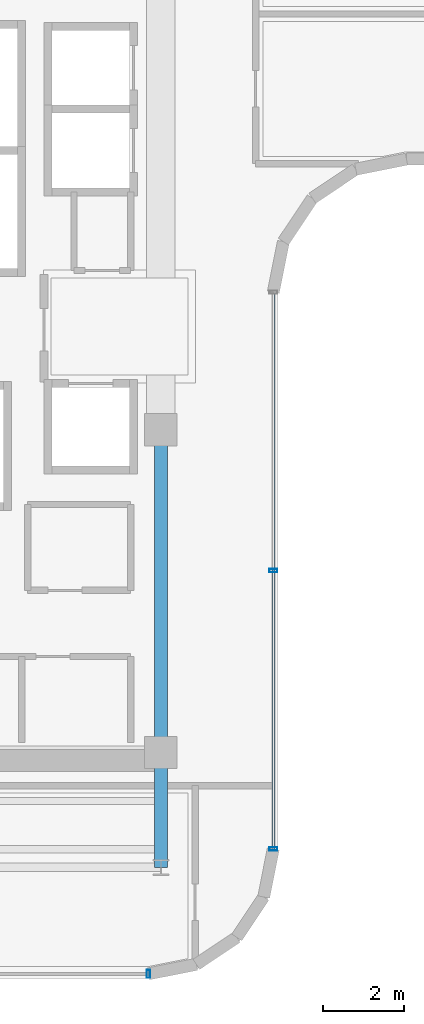
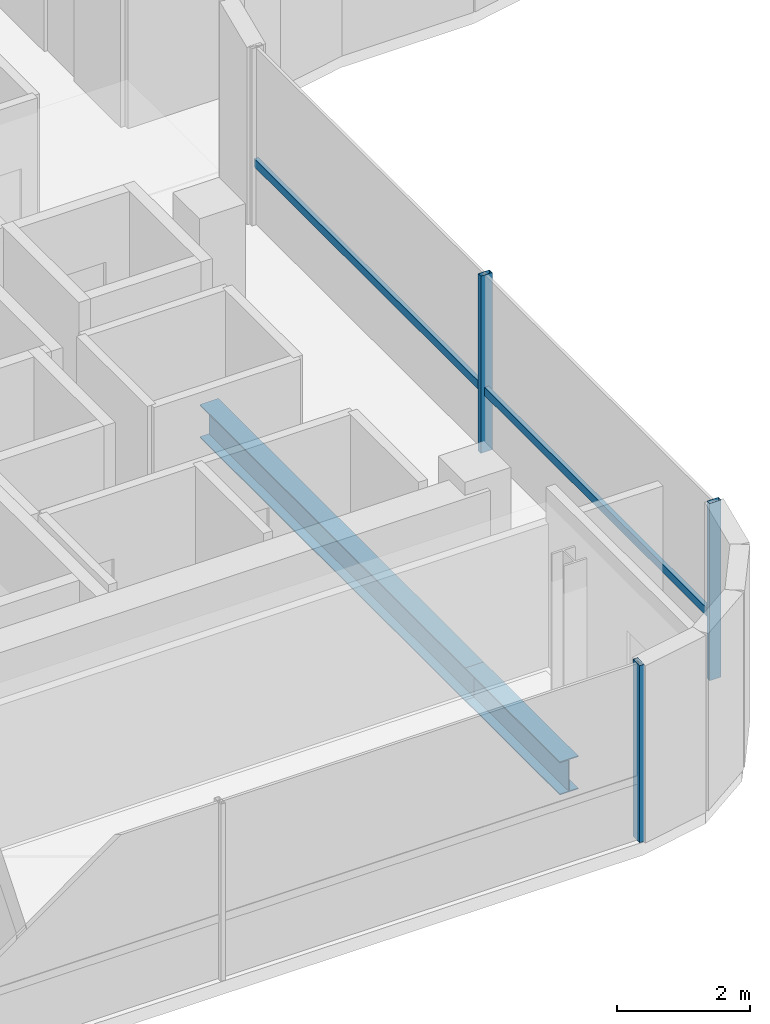
# One storey, part 5 of 20: 4 members, 2 beams, 2 elements without a shape of their own.
"""IFC4 building model written with IfcOpenShell, lengths in metres."""

from ifc_helpers import new_model, si_unit, direction, frame, origin, origin_2d, place, context, subcontext, project, spatial, hollow_rectangle, i_section, extrude, source, transform, mapped, material, material_profile, profile_set, type_object, element, aggregate, save


model = new_model("IFC4")

# Units and contexts
model_context = context("Model", 3, precision=1e-05, world=origin(), true_north=direction((0.0, 1.0)))
body_context = subcontext(model_context, "Body", "Model", "MODEL_VIEW")
ifc_project = project(units=[si_unit("LENGTHUNIT", "METRE"), si_unit("AREAUNIT", "SQUARE_METRE"), si_unit("VOLUMEUNIT", "CUBIC_METRE"), si_unit("PLANEANGLEUNIT", "RADIAN"), si_unit("MASSUNIT", "GRAM", prefix="KILO")], contexts=[model_context])

# Site, building, storey
site_placement = place(None, origin())
site = spatial("IfcSite", under=ifc_project, at=site_placement, CompositionType="ELEMENT")
building_placement = place(site_placement, origin())
building = spatial("IfcBuilding", under=site, at=building_placement, Name="Valdorenza Pilgrim Sanctuary Tower", CompositionType="ELEMENT")
storey_placement = place(building_placement, frame((0.0, 0.0, 280.0)))
storey = spatial("IfcBuildingStorey", under=building, at=storey_placement, Name="L73", CompositionType="ELEMENT", Elevation=280.0)

# Beams
ifc_material_1 = material(Name="Steel ASTM A992 Grade 50", Category="steel")
ifc_material_profile_1 = material_profile(ifc_material_1, i_section(OverallWidth=0.323974609375, OverallDepth=0.611083984375, WebThickness=0.0126953125, FlangeThickness=0.01904296875, at=origin_2d()), Name="W24X104")
ifc_profile_set_1 = profile_set([ifc_material_profile_1], Name="Steel ASTM A992 Grade 50")
beam_type = type_object("IfcBeamType", Name="STR-BM-GRD-W24B", PredefinedType="BEAM", material=ifc_profile_set_1)
shared_shape_1 = source(origin(), body_context, "Body", "SweptSolid", [
    extrude(i_section(OverallWidth=0.323974609375, OverallDepth=0.611083984375, WebThickness=0.0126953125, FlangeThickness=0.01904296875, at=origin_2d()), origin(), (0.0, 0.0, 1.0), 8.0),
])
beam_1_placement = place(storey_placement, frame((-12.39990234375, -10.60009765625, -0.54541015625), z_axis=(0.0, 1.0, 0.0), x_axis=(-1.0, 0.0, 0.0)))
element("IfcBeam", 1, at=beam_1_placement, inside=storey, type_object=beam_type, Name="L73 Core Tie Girder CA-E-S1M0", PredefinedType="BEAM", context=body_context, shape_type="MappedRepresentation", body=[
    mapped(shared_shape_1, transform((0.0, 0.0, 0.0), x_axis=(1.0, 0.0, 0.0), y_axis=(0.0, 1.0, 0.0), z_axis=(0.0, 0.0, 1.0), scale=1.0)),
])
shared_shape_2 = source(origin(), body_context, "Body", "SweptSolid", [
    extrude(i_section(OverallWidth=0.323974609375, OverallDepth=0.611083984375, WebThickness=0.0126953125, FlangeThickness=0.01904296875, at=origin_2d()), origin(), (0.0, 0.0, 1.0), 2.849853515625),
])
beam_2_placement = place(storey_placement, frame((-12.39990234375, -13.449951171875, -0.54541015625), z_axis=(0.0, 1.0, 0.0), x_axis=(-1.0, 0.0, 0.0)))
element("IfcBeam", 2, at=beam_2_placement, inside=storey, type_object=beam_type, Name="L73 Floor Girder WA-S-LE", PredefinedType="BEAM", context=body_context, shape_type="MappedRepresentation", body=[
    mapped(shared_shape_2, transform((0.0, 0.0, 0.0), x_axis=(1.0, 0.0, 0.0), y_axis=(0.0, 1.0, 0.0), z_axis=(0.0, 0.0, 1.0), scale=1.0)),
])

# Curtain wall, members
ifc_material_2 = material(Name="Curtain-wall IGU glazing", Category="glass")
curtain_wall_type = type_object("IfcCurtainWallType", Name="CW-SYS-02", PredefinedType="NOTDEFINED", material=ifc_material_2)
curtain_wall_1_placement = place(storey_placement, origin())
curtain_wall_1 = element("IfcCurtainWall", 3, at=curtain_wall_1_placement, inside=storey, type_object=curtain_wall_type, Name="L73 Curtain Wall CW-L73-1-21", PredefinedType="NOTDEFINED")
ifc_material_3 = material(Name="Anodised aluminium AW-6060", Category="aluminium")
ifc_material_profile_2 = material_profile(ifc_material_3, hollow_rectangle(XDim=0.0849609375, YDim=0.199951171875, WallThickness=0.0048828125, at=origin_2d()), Name="ALU-M 200x85x5")
ifc_profile_set_2 = profile_set([ifc_material_profile_2], Name="Anodised aluminium AW-6060")
member_type_1 = type_object("IfcMemberType", Name="CW-MUL-02", PredefinedType="MULLION", material=ifc_profile_set_2)
shared_shape_3 = source(origin(), body_context, "Body", "SweptSolid", [
    extrude(hollow_rectangle(XDim=0.0849609375, YDim=0.199951171875, WallThickness=0.0048828125, at=origin_2d()), origin(), (0.0, 0.0, 1.0), 3.260009765625),
])
member_1_placement = place(storey_placement, frame((-9.610107421875, -6.089111328125, 0.0), z_axis=(0.0, 0.0, 1.0), x_axis=(0.0, -1.0, 0.0)))
member_1 = element("IfcMember", 4, at=member_1_placement, type_object=member_type_1, Name="CW-L73-1-21 Mullion 2", PredefinedType="MULLION", context=body_context, shape_type="MappedRepresentation", body=[
    mapped(shared_shape_3, transform((0.0, 0.0, 0.0), x_axis=(1.0, 0.0, 0.0), y_axis=(0.0, 1.0, 0.0), z_axis=(0.0, 0.0, 1.0), scale=1.0)),
])
member_2_placement = place(storey_placement, frame((-9.610107421875, -12.9892578125, 0.0), z_axis=(0.0, 0.0, 1.0), x_axis=(0.0, -1.0, 0.0)))
member_2 = element("IfcMember", 5, at=member_2_placement, type_object=member_type_1, Name="CW-L73-1-21 Mullion 3", PredefinedType="MULLION", context=body_context, shape_type="MappedRepresentation", body=[
    mapped(shared_shape_3, transform((0.0, 0.0, 0.0), x_axis=(1.0, 0.0, 0.0), y_axis=(0.0, 1.0, 0.0), z_axis=(0.0, 0.0, 1.0), scale=1.0)),
])

# Curtain wall, member
curtain_wall_2_placement = place(storey_placement, origin())
curtain_wall_2 = element("IfcCurtainWall", 6, at=curtain_wall_2_placement, inside=storey, type_object=curtain_wall_type, Name="L73 Curtain Wall CW-L73-1-26", PredefinedType="NOTDEFINED")
member_3_placement = place(storey_placement, frame((-12.710693359375, -16.090087890625, 0.0), z_axis=(0.0, 0.0, 1.0), x_axis=(-1.0, 0.0, 0.0)))
member_3 = element("IfcMember", 7, at=member_3_placement, type_object=member_type_1, Name="CW-L73-1-26 Mullion 1", PredefinedType="MULLION", context=body_context, shape_type="MappedRepresentation", body=[
    mapped(shared_shape_3, transform((0.0, 0.0, 0.0), x_axis=(1.0, 0.0, 0.0), y_axis=(0.0, 1.0, 0.0), z_axis=(0.0, 0.0, 1.0), scale=1.0)),
])
aggregate(curtain_wall_2, [member_3])

# Member
ifc_material_profile_3 = material_profile(ifc_material_3, hollow_rectangle(XDim=0.074951171875, YDim=0.14990234375, WallThickness=0.00390625, at=origin_2d()), Name="ALU-T 150x75x4")
ifc_profile_set_3 = profile_set([ifc_material_profile_3], Name="Anodised aluminium AW-6060")
member_type_2 = type_object("IfcMemberType", Name="CW-TRN-02", PredefinedType="USERDEFINED", material=ifc_profile_set_3)
shared_shape_4 = source(origin(), body_context, "Body", "SweptSolid", [
    extrude(hollow_rectangle(XDim=0.074951171875, YDim=0.14990234375, WallThickness=0.00390625, at=origin_2d()), origin(), (0.0, 0.0, 1.0), 13.800048828125),
])
member_4_placement = place(storey_placement, frame((-9.610107421875, 0.810791015625, 1.1201171875), z_axis=(0.0, -1.0, 0.0), x_axis=(1.0, 0.0, 0.0)))
member_4 = element("IfcMember", 8, at=member_4_placement, type_object=member_type_2, Name="CW-L73-1-21 Transom 1", ObjectType="TRANSOM", PredefinedType="USERDEFINED", context=body_context, shape_type="MappedRepresentation", body=[
    mapped(shared_shape_4, transform((0.0, 0.0, 0.0), x_axis=(1.0, 0.0, 0.0), y_axis=(0.0, 1.0, 0.0), z_axis=(0.0, 0.0, 1.0), scale=1.0)),
])

aggregate(curtain_wall_1, [member_1, member_2, member_4])

save(model, "model.ifc")
